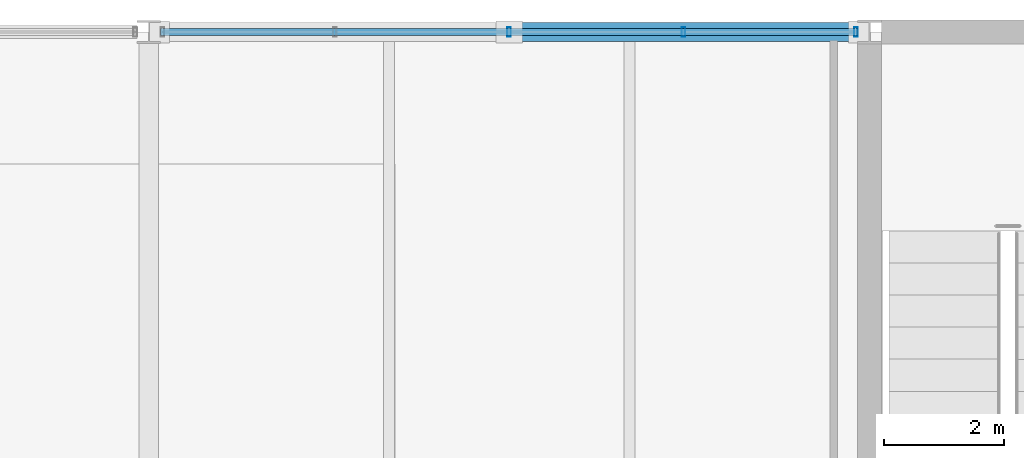
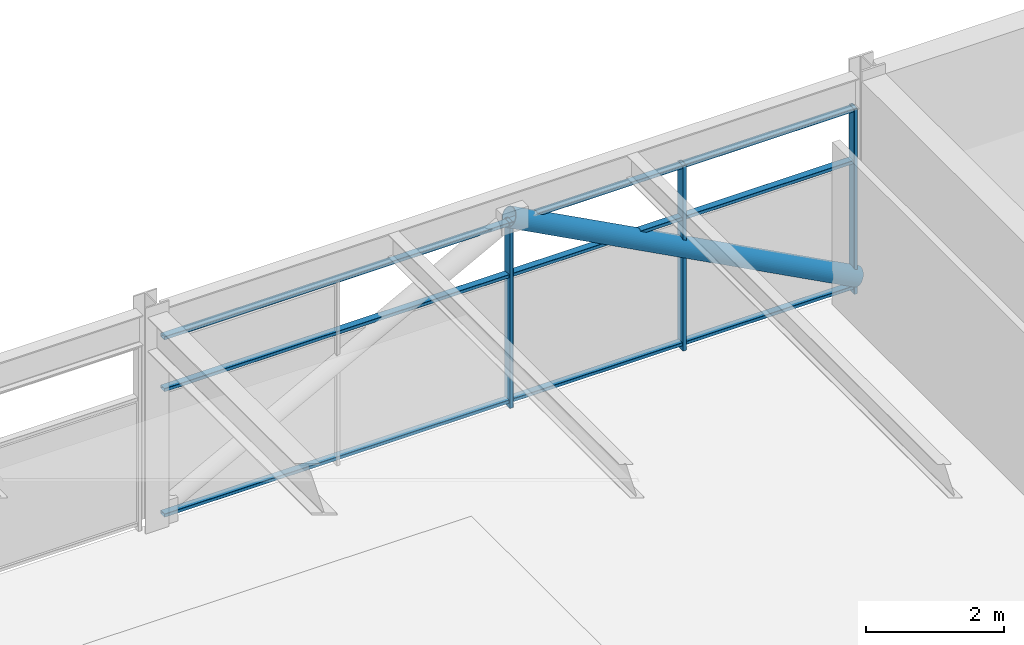
# One storey, part 21 of 51: 7 members, 1 element without a shape of its own.
"""IFC4 building model written with IfcOpenShell, lengths in metres."""

from ifc_helpers import new_model, si_unit, direction, frame, origin, origin_2d, place, context, subcontext, project, spatial, hollow_rectangle, hollow_circle, extrude, material, material_profile, profile_set, type_object, element, aggregate, save


model = new_model("IFC4")

# Units and contexts
model_context = context("Model", 3, precision=1e-05, world=origin(), true_north=direction((0.0, 1.0)))
body_context = subcontext(model_context, "Body", "Model", "MODEL_VIEW")
ifc_project = project(units=[si_unit("LENGTHUNIT", "METRE"), si_unit("AREAUNIT", "SQUARE_METRE"), si_unit("VOLUMEUNIT", "CUBIC_METRE"), si_unit("PLANEANGLEUNIT", "RADIAN"), si_unit("MASSUNIT", "GRAM", prefix="KILO")], contexts=[model_context])

# Site, building, storey
site_placement = place(None, origin())
site = spatial("IfcSite", under=ifc_project, at=site_placement, CompositionType="ELEMENT")
building_placement = place(site_placement, origin())
building = spatial("IfcBuilding", under=site, at=building_placement, Name="Girod Span Mobility Hub", CompositionType="ELEMENT")
storey_placement = place(building_placement, frame((0.0, 0.0, 41.60009765625)))
storey = spatial("IfcBuildingStorey", under=building, at=storey_placement, Name="L10", CompositionType="ELEMENT", Elevation=41.60009765625)

# Curtain wall, members
ifc_material_1 = material(Name="Thermally Broken Anodised Aluminium", Category="aluminium")
curtain_wall_type = type_object("IfcCurtainWallType", Name="CW-1161X328", PredefinedType="USERDEFINED", material=ifc_material_1)
curtain_wall_placement = place(storey_placement, origin())
curtain_wall = element("IfcCurtainWall", 1, at=curtain_wall_placement, inside=storey, type_object=curtain_wall_type, Name="Unitised Curtain Wall CW-L10-N04 L10", ObjectType="UNITISED CURTAIN WALL", PredefinedType="USERDEFINED")
ifc_material_2 = material(Name="Thermally Broken Anodised Aluminium", Category="aluminium")
ifc_material_profile_1 = material_profile(ifc_material_2, hollow_rectangle(XDim=0.159912109375, YDim=0.06005859375, WallThickness=0.00341796875, InnerFilletRadius=0.00341796875, OuterFilletRadius=0.007080078125, at=origin_2d()), Name="CW-ML-60X160")
ifc_profile_set_1 = profile_set([ifc_material_profile_1], Name="Thermally Broken Anodised Aluminium")
member_type_1 = type_object("IfcMemberType", Name="CWM-ML-3", PredefinedType="MULLION", material=ifc_profile_set_1)
member_1_placement = place(storey_placement, frame((41.998779296875, 69.0, 0.0), z_axis=(0.0, 0.0, 1.0), x_axis=(0.0, 1.0, 0.0)))
member_1 = element("IfcMember", 2, at=member_1_placement, type_object=member_type_1, Name="Curtain Wall Mullion CW-L10-N04-M2", PredefinedType="MULLION", context=body_context, shape_type="SweptSolid", body=[
    extrude(hollow_rectangle(XDim=0.159912109375, YDim=0.06005859375, WallThickness=0.00341796875, InnerFilletRadius=0.00341796875, OuterFilletRadius=0.007080078125, at=origin_2d()), origin(), (0.0, 0.0, 1.0), 3.281005859375),
])
member_2_placement = place(storey_placement, frame((44.900634765625, 69.0, 0.0), z_axis=(0.0, 0.0, 1.0), x_axis=(0.0, 1.0, 0.0)))
member_2 = element("IfcMember", 3, at=member_2_placement, type_object=member_type_1, Name="Curtain Wall Mullion CW-L10-N04-M3", PredefinedType="MULLION", context=body_context, shape_type="SweptSolid", body=[
    extrude(hollow_rectangle(XDim=0.159912109375, YDim=0.06005859375, WallThickness=0.00341796875, InnerFilletRadius=0.00341796875, OuterFilletRadius=0.007080078125, at=origin_2d()), origin(), (0.0, 0.0, 1.0), 3.281005859375),
])
member_3_placement = place(storey_placement, frame((47.7705078125, 69.0, 0.0), z_axis=(0.0, 0.0, 1.0), x_axis=(0.0, 1.0, 0.0)))
member_3 = element("IfcMember", 4, at=member_3_placement, type_object=member_type_1, Name="Curtain Wall Mullion CW-L10-N04-M4", PredefinedType="MULLION", context=body_context, shape_type="SweptSolid", body=[
    extrude(hollow_rectangle(XDim=0.159912109375, YDim=0.06005859375, WallThickness=0.00341796875, InnerFilletRadius=0.00341796875, OuterFilletRadius=0.007080078125, at=origin_2d()), origin(), (0.0, 0.0, 1.0), 3.281005859375),
])
ifc_material_3 = material(Name="Thermally Broken Anodised Aluminium", Category="aluminium")
ifc_material_profile_2 = material_profile(ifc_material_3, hollow_rectangle(XDim=0.1201171875, YDim=0.06005859375, WallThickness=0.00341796875, InnerFilletRadius=0.00341796875, OuterFilletRadius=0.007080078125, at=origin_2d()), Name="CW-TR-60X120")
ifc_profile_set_2 = profile_set([ifc_material_profile_2], Name="Thermally Broken Anodised Aluminium")
member_type_2 = type_object("IfcMemberType", Name="CWM-TR-3", PredefinedType="USERDEFINED", material=ifc_profile_set_2)
member_4_placement = place(storey_placement, frame((36.195068359375, 69.0, 0.10986328125), z_axis=(1.0, 0.0, 0.0), x_axis=(0.0, 1.0, 0.0)))
member_4 = element("IfcMember", 5, at=member_4_placement, type_object=member_type_2, Name="Curtain Wall Transom CW-L10-N04-T1", ObjectType="TRANSOM", PredefinedType="USERDEFINED", context=body_context, shape_type="SweptSolid", body=[
    extrude(hollow_rectangle(XDim=0.1201171875, YDim=0.06005859375, WallThickness=0.00341796875, InnerFilletRadius=0.00341796875, OuterFilletRadius=0.007080078125, at=origin_2d()), origin(), (0.0, 0.0, 1.0), 11.607421875),
])
member_5_placement = place(storey_placement, frame((36.195068359375, 69.0, 2.332275390625), z_axis=(1.0, 0.0, 0.0), x_axis=(0.0, 1.0, 0.0)))
member_5 = element("IfcMember", 6, at=member_5_placement, type_object=member_type_2, Name="Curtain Wall Transom CW-L10-N04-T2", ObjectType="TRANSOM", PredefinedType="USERDEFINED", context=body_context, shape_type="SweptSolid", body=[
    extrude(hollow_rectangle(XDim=0.1201171875, YDim=0.06005859375, WallThickness=0.00341796875, InnerFilletRadius=0.00341796875, OuterFilletRadius=0.007080078125, at=origin_2d()), origin(), (0.0, 0.0, 1.0), 11.607421875),
])
member_6_placement = place(storey_placement, frame((36.195068359375, 69.0, 3.2509765625), z_axis=(1.0, 0.0, 0.0), x_axis=(0.0, 1.0, 0.0)))
member_6 = element("IfcMember", 7, at=member_6_placement, type_object=member_type_2, Name="Curtain Wall Transom CW-L10-N04-T3", ObjectType="TRANSOM", PredefinedType="USERDEFINED", context=body_context, shape_type="SweptSolid", body=[
    extrude(hollow_rectangle(XDim=0.1201171875, YDim=0.06005859375, WallThickness=0.00341796875, InnerFilletRadius=0.00341796875, OuterFilletRadius=0.007080078125, at=origin_2d()), origin(), (0.0, 0.0, 1.0), 11.607421875),
])
aggregate(curtain_wall, [member_1, member_2, member_3, member_4, member_5, member_6])

# Member
ifc_material_4 = material(Name="Steel HSS A500 Grade C", Category="steel")
ifc_material_profile_3 = material_profile(ifc_material_4, hollow_circle(Radius=0.162109375, WallThickness=0.01171875, at=origin_2d()), Name="HSS324X12.7")
ifc_profile_set_3 = profile_set([ifc_material_profile_3], Name="Steel HSS A500 Grade C")
member_type_3 = type_object("IfcMemberType", Name="MB-BR-HSS324", PredefinedType="BRACE", material=ifc_profile_set_3)
member_7_placement = place(storey_placement, frame((47.820556640625, 69.0, 0.25), z_axis=(-0.883200602, 0.0, 0.46899541216), x_axis=(0.0, -1.0, 0.0)))
element("IfcMember", 8, at=member_7_placement, inside=storey, type_object=member_type_3, Name="Upper Diagrid Brace 4/F-R L10", PredefinedType="BRACE", context=body_context, shape_type="SweptSolid", body=[
    extrude(hollow_circle(Radius=0.162109375, WallThickness=0.01171875, at=origin_2d()), origin(), (0.0, 0.0, 1.0), 6.59033203125),
])

save(model, "model.ifc")
